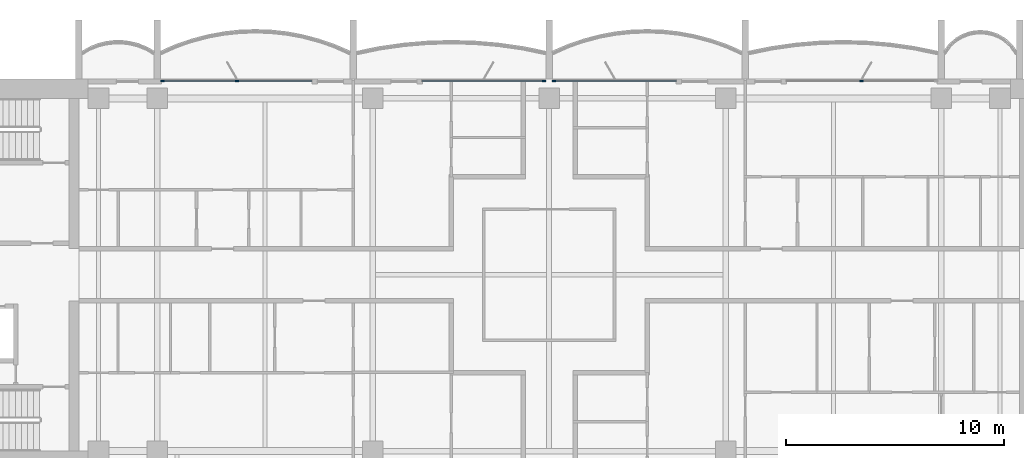
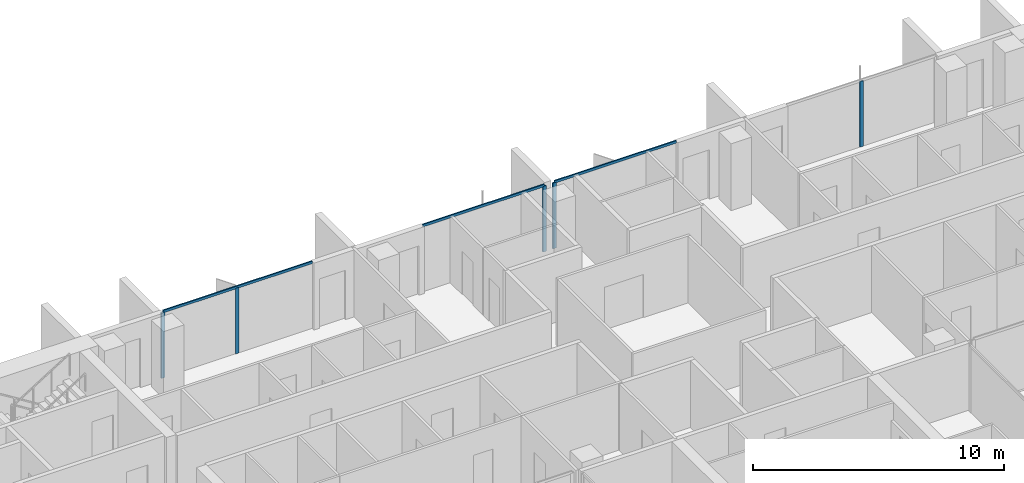
# One storey, part 5 of 18: 8 members, 4 elements without a shape of their own.
"""IFC4 building model written with IfcOpenShell, lengths in metres."""

from ifc_helpers import new_model, si_unit, direction, frame, origin, origin_2d, place, context, subcontext, project, spatial, rectangle, extrude, material, material_profile, profile_set, type_object, element, aggregate, save


model = new_model("IFC4")

# Units and contexts
model_context = context("Model", 3, precision=1e-05, world=origin(), true_north=direction((0.0, 1.0)))
body_context = subcontext(model_context, "Body", "Model", "MODEL_VIEW")
ifc_project = project(units=[si_unit("LENGTHUNIT", "METRE"), si_unit("AREAUNIT", "SQUARE_METRE"), si_unit("VOLUMEUNIT", "CUBIC_METRE"), si_unit("PLANEANGLEUNIT", "RADIAN"), si_unit("MASSUNIT", "GRAM", prefix="KILO")], contexts=[model_context])

# Site, building, storey
site_placement = place(None, origin())
site = spatial("IfcSite", under=ifc_project, at=site_placement, CompositionType="ELEMENT")
building_placement = place(site_placement, origin())
building = spatial("IfcBuilding", under=site, at=building_placement, Name="Perihelion Cross Residences", CompositionType="ELEMENT")
storey_placement = place(building_placement, frame((0.0, 0.0, 215.60009765625)))
storey = spatial("IfcBuildingStorey", under=building, at=storey_placement, Name="L54", CompositionType="ELEMENT", Elevation=215.60009765625)

# Curtain wall, member
ifc_material_1 = material(Name="Bronze anodised aluminium, tinted glazing", Category="aluminium")
curtain_wall_type = type_object("IfcCurtainWallType", Name="CW1", PredefinedType="NOTDEFINED", material=ifc_material_1)
curtain_wall_1_placement = place(storey_placement, origin())
curtain_wall_1 = element("IfcCurtainWall", 1, at=curtain_wall_1_placement, inside=storey, type_object=curtain_wall_type, Name="Curtain wall CW1 L54 east side north bay 2", PredefinedType="NOTDEFINED")
ifc_material_2 = material(Name="Bronze anodised aluminium", Category="aluminium")
ifc_material_profile_1 = material_profile(ifc_material_2, rectangle(XDim=0.06005859375, YDim=0.159912109375, at=origin_2d()), Name="CW1 mullion")
ifc_profile_set_1 = profile_set([ifc_material_profile_1], Name="Bronze anodised aluminium")
member_type_1 = type_object("IfcMemberType", Name="CW1 mullion", PredefinedType="MULLION", material=ifc_profile_set_1)
member_1_placement = place(storey_placement, frame((14.35009765625, 8.89990234375, 0.0), z_axis=(0.0, 0.0, 1.0), x_axis=(0.0, -1.0, 0.0)))
member_1 = element("IfcMember", 2, at=member_1_placement, type_object=member_type_1, Name="CW1 mullion 2", PredefinedType="MULLION", context=body_context, shape_type="SweptSolid", body=[
    extrude(rectangle(XDim=0.06005859375, YDim=0.159912109375, at=origin_2d()), origin(), (0.0, 0.0, 1.0), 3.18994140625),
])
aggregate(curtain_wall_1, [member_1])

curtain_wall_2_placement = place(storey_placement, origin())
curtain_wall_2 = element("IfcCurtainWall", 3, at=curtain_wall_2_placement, inside=storey, type_object=curtain_wall_type, Name="Curtain wall CW1 L54 north side east bay 1", PredefinedType="NOTDEFINED")
member_2_placement = place(storey_placement, frame((0.22998046875, 8.89990234375, 0.0), z_axis=(0.0, 0.0, 1.0), x_axis=(0.0, -1.0, 0.0)))
member_2 = element("IfcMember", 4, at=member_2_placement, type_object=member_type_1, Name="CW1 mullion 2", PredefinedType="MULLION", context=body_context, shape_type="SweptSolid", body=[
    extrude(rectangle(XDim=0.06005859375, YDim=0.159912109375, at=origin_2d()), origin(), (0.0, 0.0, 1.0), 3.18994140625),
])

curtain_wall_3_placement = place(storey_placement, origin())
curtain_wall_3 = element("IfcCurtainWall", 5, at=curtain_wall_3_placement, inside=storey, type_object=curtain_wall_type, Name="Curtain wall CW1 L54 north side east bay 2", PredefinedType="NOTDEFINED")
member_3_placement = place(storey_placement, frame((-0.22998046875, 8.89990234375, 0.0), z_axis=(0.0, 0.0, 1.0), x_axis=(0.0, -1.0, 0.0)))
member_3 = element("IfcMember", 6, at=member_3_placement, type_object=member_type_1, Name="CW1 mullion 1", PredefinedType="MULLION", context=body_context, shape_type="SweptSolid", body=[
    extrude(rectangle(XDim=0.06005859375, YDim=0.159912109375, at=origin_2d()), origin(), (0.0, 0.0, 1.0), 3.18994140625),
])

# Curtain wall, members
curtain_wall_4_placement = place(storey_placement, origin())
curtain_wall_4 = element("IfcCurtainWall", 7, at=curtain_wall_4_placement, inside=storey, type_object=curtain_wall_type, Name="Curtain wall CW1 L54 west side north bay 1", PredefinedType="NOTDEFINED")
member_4_placement = place(storey_placement, frame((-14.35009765625, 8.89990234375, 0.0), z_axis=(0.0, 0.0, 1.0), x_axis=(0.0, -1.0, 0.0)))
member_4 = element("IfcMember", 8, at=member_4_placement, type_object=member_type_1, Name="CW1 mullion 2", PredefinedType="MULLION", context=body_context, shape_type="SweptSolid", body=[
    extrude(rectangle(XDim=0.06005859375, YDim=0.159912109375, at=origin_2d()), origin(), (0.0, 0.0, 1.0), 3.18994140625),
])
member_5_placement = place(storey_placement, frame((-17.77001953125, 8.89990234375, 0.0), z_axis=(0.0, 0.0, 1.0), x_axis=(0.0, -1.0, 0.0)))
member_5 = element("IfcMember", 9, at=member_5_placement, type_object=member_type_1, Name="CW1 mullion 3", PredefinedType="MULLION", context=body_context, shape_type="SweptSolid", body=[
    extrude(rectangle(XDim=0.06005859375, YDim=0.159912109375, at=origin_2d()), origin(), (0.0, 0.0, 1.0), 3.18994140625),
])

# Member
ifc_material_3 = material(Name="Bronze anodised aluminium", Category="aluminium")
ifc_material_profile_2 = material_profile(ifc_material_3, rectangle(XDim=0.06005859375, YDim=0.1201171875, at=origin_2d()), Name="CW1 transom")
ifc_profile_set_2 = profile_set([ifc_material_profile_2], Name="Bronze anodised aluminium")
member_type_2 = type_object("IfcMemberType", Name="CW1 transom", PredefinedType="USERDEFINED", material=ifc_profile_set_2)
member_6_placement = place(storey_placement, frame((5.824951171875, 8.89990234375, 3.219970703125), z_axis=(-1.0, 0.0, 0.0), x_axis=(0.0, -1.0, 0.0)))
member_6 = element("IfcMember", 10, at=member_6_placement, type_object=member_type_2, Name="CW1 head transom", ObjectType="TRANSOM", PredefinedType="USERDEFINED", context=body_context, shape_type="SweptSolid", body=[
    extrude(rectangle(XDim=0.06005859375, YDim=0.1201171875, at=origin_2d()), origin(), (0.0, 0.0, 1.0), 5.594970703125),
])

aggregate(curtain_wall_2, [member_2, member_6])

member_7_placement = place(storey_placement, frame((-0.22998046875, 8.89990234375, 3.219970703125), z_axis=(-1.0, 0.0, 0.0), x_axis=(0.0, -1.0, 0.0)))
member_7 = element("IfcMember", 11, at=member_7_placement, type_object=member_type_2, Name="CW1 head transom", ObjectType="TRANSOM", PredefinedType="USERDEFINED", context=body_context, shape_type="SweptSolid", body=[
    extrude(rectangle(XDim=0.06005859375, YDim=0.1201171875, at=origin_2d()), origin(), (0.0, 0.0, 1.0), 5.594970703125),
])

aggregate(curtain_wall_3, [member_3, member_7])

member_8_placement = place(storey_placement, frame((-10.89990234375, 8.89990234375, 3.219970703125), z_axis=(-1.0, 0.0, 0.0), x_axis=(0.0, -1.0, 0.0)))
member_8 = element("IfcMember", 12, at=member_8_placement, type_object=member_type_2, Name="CW1 head transom", ObjectType="TRANSOM", PredefinedType="USERDEFINED", context=body_context, shape_type="SweptSolid", body=[
    extrude(rectangle(XDim=0.06005859375, YDim=0.1201171875, at=origin_2d()), origin(), (0.0, 0.0, 1.0), 6.8701171875),
])

aggregate(curtain_wall_4, [member_4, member_5, member_8])

save(model, "model.ifc")
